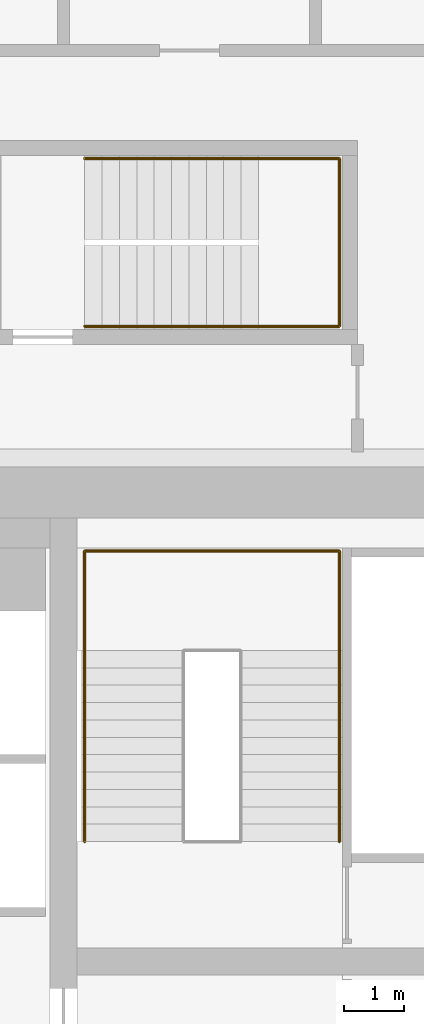
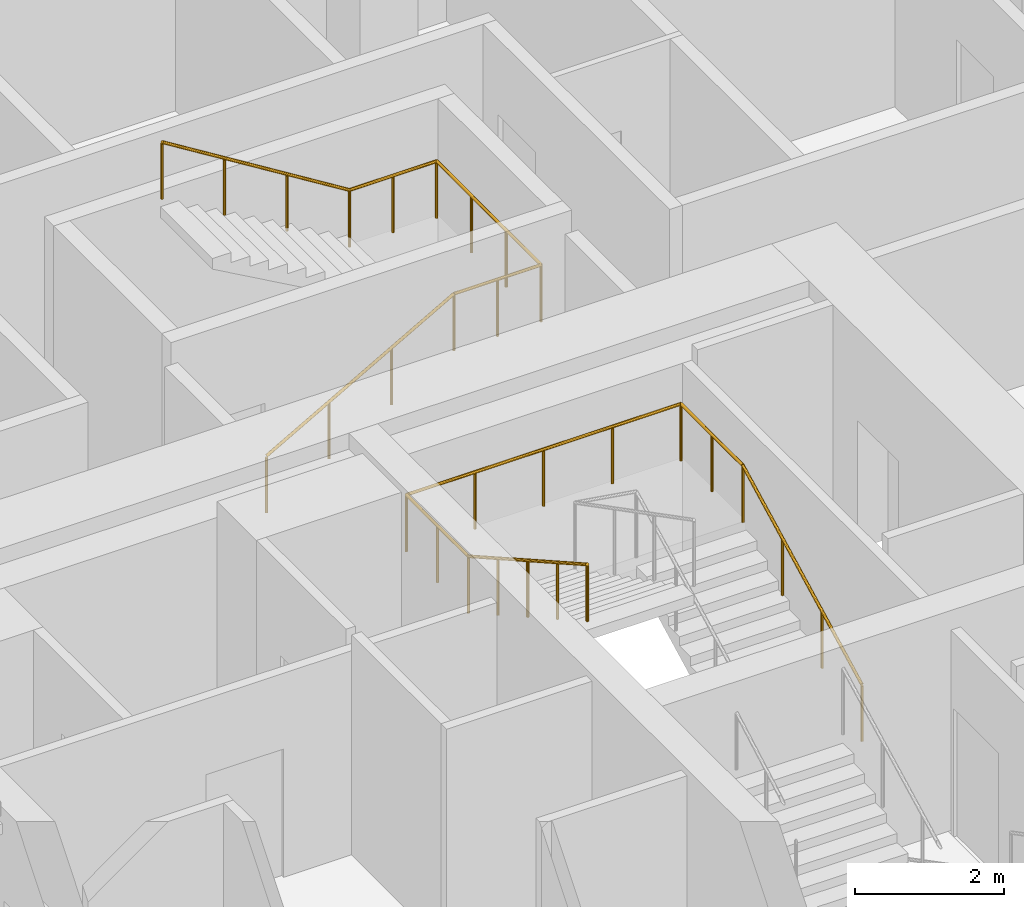
# One storey, part 33 of 33: 2 railings.
"""IFC4 building model written with IfcOpenShell, lengths in metres."""

import ifcopenshell
import ifcopenshell.guid

model = None  # the IFC model being written
_history = None  # IfcOwnerHistory: only IFC2X3 demands one
_inside = {}  # id of a spatial element -> (the spatial element, [elements in it])
_under = {}  # id of a project, library or spatial element -> (it, [spatial elements below it])
_declared = {}  # id of a project -> (the project, [libraries it declares])
_typed = {}  # id of a type object -> (the type object, [elements of that type])
_made_of = {}  # id of a material, layer set ... -> (it, [elements and type objects made of it])


def new_model(schema):
    """Start an empty IFC model of exactly this schema.

    Asked for "IFC4X3", IfcOpenShell would pick the latest addendum, in which some entities
    have other attributes; the version numbers below select the first issue.
    IFC2X3 requires an IfcOwnerHistory on every rooted entity: one is made here for all.
    """
    global model, _history
    if schema == "IFC4X3":
        model = ifcopenshell.file(schema_version=(4, 3, 0, 0))
    else:
        model = ifcopenshell.file(schema=schema)
    _inside.clear()
    _under.clear()
    _declared.clear()
    _typed.clear()
    _made_of.clear()
    _history = None
    if model.schema == "IFC2X3":
        org = make("IfcOrganization", Name="unknown")
        user = make(
            "IfcPersonAndOrganization",
            ThePerson=make("IfcPerson", FamilyName="unknown"),
            TheOrganization=org,
        )
        app = make(
            "IfcApplication",
            ApplicationDeveloper=org,
            Version="unknown",
            ApplicationFullName="unknown",
            ApplicationIdentifier="unknown",
        )
        _history = make(
            "IfcOwnerHistory",
            OwningUser=user,
            OwningApplication=app,
            ChangeAction="ADDED",
            CreationDate=0,
        )
    return model


def make(cls, **values):
    """One entity of the class cls with the attributes given. An attribute that is None is left unset."""
    return model.create_entity(
        cls, **{name: value for name, value in values.items() if value is not None}
    )


def rooted(cls, **values):
    """An entity with a GlobalId (a new one), such as an element, a storey or a relation."""
    return make(cls, GlobalId=ifcopenshell.guid.new(), OwnerHistory=_history, **values)


def si_unit(unit_type, name, prefix=None):
    """IfcSIUnit, for example si_unit("LENGTHUNIT", "METRE", prefix="MILLI")."""
    return make("IfcSIUnit", UnitType=unit_type, Prefix=prefix, Name=name)


def assignment(units):
    """IfcUnitAssignment: the units of a project."""
    return None if units is None else make("IfcUnitAssignment", Units=units)


def point(xyz):
    """IfcCartesianPoint."""
    return None if xyz is None else make("IfcCartesianPoint", Coordinates=xyz)


def direction(xyz):
    """IfcDirection."""
    return None if xyz is None else make("IfcDirection", DirectionRatios=xyz)


def frame(location, z_axis=None, x_axis=None):
    """IfcAxis2Placement3D, a coordinate frame: its origin and axes. An axis left out is left unset."""
    return make(
        "IfcAxis2Placement3D",
        Location=point(location),
        Axis=direction(z_axis),
        RefDirection=direction(x_axis),
    )


def frame_2d(location, x_axis=None):
    """IfcAxis2Placement2D, a coordinate frame in the plane: its origin and x axis."""
    return make(
        "IfcAxis2Placement2D", Location=point(location), RefDirection=direction(x_axis)
    )


def origin():
    """The frame at (0, 0, 0) with its axes left unset."""
    return frame((0.0, 0.0, 0.0))


def origin_2d():
    """The frame at (0, 0) in the plane with its x axis left unset."""
    return frame_2d((0.0, 0.0))


def place(relative_to, where):
    """IfcLocalPlacement: puts the frame where relative to a parent placement (None: the world)."""
    return make(
        "IfcLocalPlacement", PlacementRelTo=relative_to, RelativePlacement=where
    )


def context(
    kind, dimensions, precision=None, world=None, true_north=None, identifier=None
):
    """IfcGeometricRepresentationContext, for example the 3D "Model" context."""
    return make(
        "IfcGeometricRepresentationContext",
        ContextIdentifier=identifier,
        ContextType=kind,
        CoordinateSpaceDimension=dimensions,
        Precision=precision,
        WorldCoordinateSystem=world,
        TrueNorth=true_north,
    )


def subcontext(parent, identifier, kind, view, scale=None):
    """IfcGeometricRepresentationSubContext, for example "Body" below "Model"."""
    return make(
        "IfcGeometricRepresentationSubContext",
        ContextIdentifier=identifier,
        ContextType=kind,
        ParentContext=parent,
        TargetScale=scale,
        TargetView=view,
    )


def project(units=None, contexts=None):
    """IfcProject with its units and contexts."""
    return rooted(
        "IfcProject",
        Name="project",
        RepresentationContexts=contexts,
        UnitsInContext=assignment(units),
    )


def spatial(cls, under=None, at=None, **own):
    """A site, building, storey or space (cls), placed at a placement, below another one or the project."""
    s = rooted(cls, ObjectPlacement=at, **own)
    if under is not None:
        _under.setdefault(under.id(), (under, []))[1].append(s)
    return s


def profile(cls, at=None, kind="AREA", **sizes):
    """A parametric profile (cls). Its sizes go by their IFC names, for example OverallWidth=200.0."""
    return make(cls, ProfileType=kind, Position=at, **sizes)


def circle(**sizes):
    """IfcCircleProfileDef."""
    return profile("IfcCircleProfileDef", **sizes)


def extrude(swept, where, along, depth):
    """IfcExtrudedAreaSolid: the profile swept, set in the frame where, extruded along a direction by depth."""
    return make(
        "IfcExtrudedAreaSolid",
        SweptArea=swept,
        Position=where,
        ExtrudedDirection=direction(along),
        Depth=depth,
    )


def shape(context_of_items, identifier, shape_type, items):
    """IfcShapeRepresentation: the items that make up one representation, for example the "Body"."""
    return make(
        "IfcShapeRepresentation",
        ContextOfItems=context_of_items,
        RepresentationIdentifier=identifier,
        RepresentationType=shape_type,
        Items=items,
    )


def material(Name=None, Category=None):
    """IfcMaterial."""
    return make("IfcMaterial", Name=Name, Category=Category)


def made_of(thing, what):
    """Note that an element or type object is made of a material, layer set ...; save() writes the relation."""
    if what is not None:
        _made_of.setdefault(what.id(), (what, []))[1].append(thing)
    return thing


def type_object(cls, material=None, **own):
    """A type object (cls), such as IfcWallType, which elements share."""
    return made_of(rooted(cls, **own), material)


def element(
    cls,
    number,
    at=None,
    inside=None,
    cuts=None,
    type_object=None,
    material=None,
    context=None,
    identifier="Body",
    shape_type=None,
    held_by="IfcProductDefinitionShape",
    body=None,
    shapes=None,
    **own,
):
    """One element of the class cls, such as IfcWall. Its Tag is "e" and its number.

    at: its placement. inside: the storey or other place that contains it. cuts: it is an
    opening in that element (IfcRelVoidsElement). A single representation is given by context,
    identifier, shape_type and body (its items); several are given by shapes. held_by: the class
    of the entity that holds the representations. save() writes the other relations.
    """
    e = rooted(cls, Tag="e%d" % number, ObjectPlacement=at, **own)
    if body is not None:
        shapes = [shape(context, identifier, shape_type, body)]
    if shapes is not None:
        e.Representation = make(held_by, Representations=shapes)
    if inside is not None:
        _inside.setdefault(inside.id(), (inside, []))[1].append(e)
    if cuts is not None:
        rooted(
            "IfcRelVoidsElement", RelatingBuildingElement=cuts, RelatedOpeningElement=e
        )
    if type_object is not None:
        _typed.setdefault(type_object.id(), (type_object, []))[1].append(e)
    return made_of(e, material)


def aggregate(whole, parts):
    """IfcRelAggregates: a whole, such as a stair, and the parts it consists of."""
    return rooted("IfcRelAggregates", RelatingObject=whole, RelatedObjects=parts)


def save(model, path):
    """Write the relations noted so far, then the file.

    IfcRelAggregates (storeys below a building ...), IfcRelContainedInSpatialStructure (elements
    in a storey), IfcRelDefinesByType, IfcRelAssociatesMaterial and IfcRelDeclares: one each for
    every whole, place, type object, material and project.
    """
    for whole, parts in _under.values():
        aggregate(whole, parts)
    for where, things in _inside.values():
        rooted(
            "IfcRelContainedInSpatialStructure",
            RelatedElements=things,
            RelatingStructure=where,
        )
    for kind, things in _typed.values():
        rooted("IfcRelDefinesByType", RelatedObjects=things, RelatingType=kind)
    for what, things in _made_of.values():
        rooted("IfcRelAssociatesMaterial", RelatedObjects=things, RelatingMaterial=what)
    for by, libraries in _declared.values():
        rooted("IfcRelDeclares", RelatingContext=by, RelatedDefinitions=libraries)
    model.write(path)


model = new_model("IFC4")

# Units and contexts
model_context = context("Model", 3, precision=1e-05, world=origin(), true_north=direction((0.0, 1.0)))
body_context = subcontext(model_context, "Body", "Model", "MODEL_VIEW")
ifc_project = project(units=[si_unit("LENGTHUNIT", "METRE"), si_unit("AREAUNIT", "SQUARE_METRE"), si_unit("VOLUMEUNIT", "CUBIC_METRE"), si_unit("PLANEANGLEUNIT", "RADIAN"), si_unit("MASSUNIT", "GRAM", prefix="KILO")], contexts=[model_context])

# Site, building, storey
site_placement = place(None, origin())
site = spatial("IfcSite", under=ifc_project, at=site_placement, CompositionType="ELEMENT")
building_placement = place(site_placement, origin())
building = spatial("IfcBuilding", under=site, at=building_placement, Name="Marenta Gate Hotel Tower", CompositionType="ELEMENT")
storey_placement = place(building_placement, frame((0.0, 0.0, 151.699951171875)))
storey = spatial("IfcBuildingStorey", under=building, at=storey_placement, Name="L35", CompositionType="ELEMENT", Elevation=151.699951171875)

# Railings
ifc_material = material(Name="Stainless steel", Category="steel")
railing_type = type_object("IfcRailingType", Name="Core stair handrail 950", PredefinedType="HANDRAIL", material=ifc_material)
railing_1_placement = place(storey_placement, frame((8.800048828125, 10.39990234375, 0.150146484375)))
element("IfcRailing", 1, at=railing_1_placement, inside=storey, type_object=railing_type, Name="HR-950 L35-KR-ST4-1", PredefinedType="HANDRAIL", context=body_context, shape_type="SweptSolid", body=[
    extrude(circle(Radius=0.02392578125, at=origin_2d()), frame((0.0, 0.0, 0.92578125), z_axis=(0.0, 0.888239641807, 0.459380385653), x_axis=(-1.0, 0.0, 0.0)), (0.0, 0.0, 1.0), 3.591552734375),
    extrude(circle(Radius=0.02392578125, at=origin_2d()), frame((0.0, 3.190185546875, 2.57568359375), z_axis=(0.0, 1.0, 0.0), x_axis=(-1.0, 0.0, 0.0)), (0.0, 0.0, 1.0), 1.659912109375),
    extrude(circle(Radius=0.02392578125, at=origin_2d()), frame((0.0, 4.85009765625, 2.57568359375), z_axis=(-1.0, 0.0, 0.0), x_axis=(0.0, -1.0, 0.0)), (0.0, 0.0, 1.0), 4.25),
    extrude(circle(Radius=0.02392578125, at=origin_2d()), frame((-4.25, 4.85009765625, 2.57568359375), z_axis=(0.0, -1.0, 0.0), x_axis=(1.0, 0.0, 0.0)), (0.0, 0.0, 1.0), 1.659912109375),
    extrude(circle(Radius=0.02392578125, at=origin_2d()), frame((-4.25, 3.190185546875, 2.57568359375), z_axis=(0.0, -0.870925075533, 0.491415824742), x_axis=(1.0, 0.0, 0.0)), (0.0, 0.0, 1.0), 3.6630859375),
    extrude(circle(Radius=0.02099609375, at=origin_2d()), origin(), (0.0, 0.0, 1.0), 0.90185546875),
    extrude(circle(Radius=0.02099609375, at=origin_2d()), frame((0.0, 1.0634765625, 0.550048828125)), (0.0, 0.0, 1.0), 0.90185546875),
    extrude(circle(Radius=0.02099609375, at=origin_2d()), frame((0.0, 2.126708984375, 1.099853515625)), (0.0, 0.0, 1.0), 0.90185546875),
    extrude(circle(Radius=0.02099609375, at=origin_2d()), frame((0.0, 3.190185546875, 1.64990234375)), (0.0, 0.0, 1.0), 0.90185546875),
    extrude(circle(Radius=0.02099609375, at=origin_2d()), frame((0.0, 4.02001953125, 1.64990234375)), (0.0, 0.0, 1.0), 0.90185546875),
    extrude(circle(Radius=0.02099609375, at=origin_2d()), frame((0.0, 4.85009765625, 1.64990234375)), (0.0, 0.0, 1.0), 0.90185546875),
    extrude(circle(Radius=0.02099609375, at=origin_2d()), frame((-1.0625, 4.85009765625, 1.64990234375)), (0.0, 0.0, 1.0), 0.90185546875),
    extrude(circle(Radius=0.02099609375, at=origin_2d()), frame((-2.125, 4.85009765625, 1.64990234375)), (0.0, 0.0, 1.0), 0.90185546875),
    extrude(circle(Radius=0.02099609375, at=origin_2d()), frame((-3.1875, 4.85009765625, 1.64990234375)), (0.0, 0.0, 1.0), 0.90185546875),
    extrude(circle(Radius=0.02099609375, at=origin_2d()), frame((-4.25, 4.85009765625, 1.64990234375)), (0.0, 0.0, 1.0), 0.90185546875),
    extrude(circle(Radius=0.02099609375, at=origin_2d()), frame((-4.25, 4.02001953125, 1.64990234375)), (0.0, 0.0, 1.0), 0.90185546875),
    extrude(circle(Radius=0.02099609375, at=origin_2d()), frame((-4.25, 3.190185546875, 1.64990234375)), (0.0, 0.0, 1.0), 0.90185546875),
    extrude(circle(Radius=0.02099609375, at=origin_2d()), frame((-4.25, 2.392578125, 2.099853515625)), (0.0, 0.0, 1.0), 0.90185546875),
    extrude(circle(Radius=0.02099609375, at=origin_2d()), frame((-4.25, 1.59521484375, 2.5498046875)), (0.0, 0.0, 1.0), 0.90185546875),
    extrude(circle(Radius=0.02099609375, at=origin_2d()), frame((-4.25, 0.797607421875, 3.0)), (0.0, 0.0, 1.0), 0.90185546875),
    extrude(circle(Radius=0.02099609375, at=origin_2d()), frame((-4.25, 0.0, 3.449951171875)), (0.0, 0.0, 1.0), 0.90185546875),
])
railing_2_placement = place(storey_placement, frame((4.550048828125, 19.0, 0.16357421875)))
element("IfcRailing", 2, at=railing_2_placement, inside=storey, type_object=railing_type, Name="HR-950 L35-RS-Z2-4-KR-1", PredefinedType="HANDRAIL", context=body_context, shape_type="SweptSolid", body=[
    extrude(circle(Radius=0.02392578125, at=origin_2d()), frame((0.0, 0.0, 0.92578125), z_axis=(0.870897200241, 0.0, 0.491465224214), x_axis=(0.0, 1.0, 0.0)), (0.0, 0.0, 1.0), 3.329833984375),
    extrude(circle(Radius=0.02392578125, at=origin_2d()), frame((2.89990234375, 0.0, 2.5625), z_axis=(1.0, 0.0, 0.0), x_axis=(0.0, 1.0, 0.0)), (0.0, 0.0, 1.0), 1.35009765625),
    extrude(circle(Radius=0.02392578125, at=origin_2d()), frame((4.25, 0.0, 2.5625), z_axis=(0.0, 1.0, 0.0), x_axis=(-1.0, 0.0, 0.0)), (0.0, 0.0, 1.0), 2.800048828125),
    extrude(circle(Radius=0.02392578125, at=origin_2d()), frame((4.25, 2.800048828125, 2.5625), z_axis=(-1.0, 0.0, 0.0), x_axis=(0.0, -1.0, 0.0)), (0.0, 0.0, 1.0), 1.35009765625),
    extrude(circle(Radius=0.02392578125, at=origin_2d()), frame((2.89990234375, 2.800048828125, 2.5625), z_axis=(-0.849625798611, 0.0, 0.527386008853), x_axis=(0.0, -1.0, 0.0)), (0.0, 0.0, 1.0), 3.4130859375),
    extrude(circle(Radius=0.02099609375, at=origin_2d()), origin(), (0.0, 0.0, 1.0), 0.90185546875),
    extrude(circle(Radius=0.02099609375, at=origin_2d()), frame((0.966552734375, 0.0, 0.54541015625)), (0.0, 0.0, 1.0), 0.90185546875),
    extrude(circle(Radius=0.02099609375, at=origin_2d()), frame((1.933349609375, 0.0, 1.091064453125)), (0.0, 0.0, 1.0), 0.90185546875),
    extrude(circle(Radius=0.02099609375, at=origin_2d()), frame((2.89990234375, 0.0, 1.636474609375)), (0.0, 0.0, 1.0), 0.90185546875),
    extrude(circle(Radius=0.02099609375, at=origin_2d()), frame((3.574951171875, 0.0, 1.636474609375)), (0.0, 0.0, 1.0), 0.90185546875),
    extrude(circle(Radius=0.02099609375, at=origin_2d()), frame((4.25, 0.0, 1.636474609375)), (0.0, 0.0, 1.0), 0.90185546875),
    extrude(circle(Radius=0.02099609375, at=origin_2d()), frame((4.25, 0.933349609375, 1.636474609375)), (0.0, 0.0, 1.0), 0.90185546875),
    extrude(circle(Radius=0.02099609375, at=origin_2d()), frame((4.25, 1.86669921875, 1.636474609375)), (0.0, 0.0, 1.0), 0.90185546875),
    extrude(circle(Radius=0.02099609375, at=origin_2d()), frame((4.25, 2.800048828125, 1.636474609375)), (0.0, 0.0, 1.0), 0.90185546875),
    extrude(circle(Radius=0.02099609375, at=origin_2d()), frame((3.574951171875, 2.800048828125, 1.636474609375)), (0.0, 0.0, 1.0), 0.90185546875),
    extrude(circle(Radius=0.02099609375, at=origin_2d()), frame((2.89990234375, 2.800048828125, 1.636474609375)), (0.0, 0.0, 1.0), 0.90185546875),
    extrude(circle(Radius=0.02099609375, at=origin_2d()), frame((1.933349609375, 2.800048828125, 2.236572265625)), (0.0, 0.0, 1.0), 0.90185546875),
    extrude(circle(Radius=0.02099609375, at=origin_2d()), frame((0.966552734375, 2.800048828125, 2.83642578125)), (0.0, 0.0, 1.0), 0.90185546875),
    extrude(circle(Radius=0.02099609375, at=origin_2d()), frame((0.0, 2.800048828125, 3.4365234375)), (0.0, 0.0, 1.0), 0.90185546875),
])

save(model, "model.ifc")
